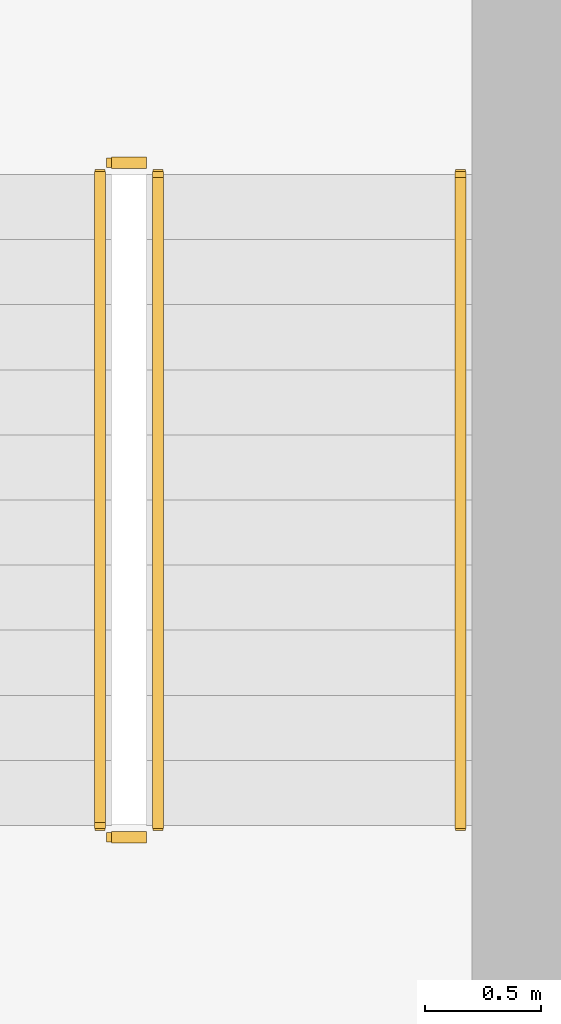
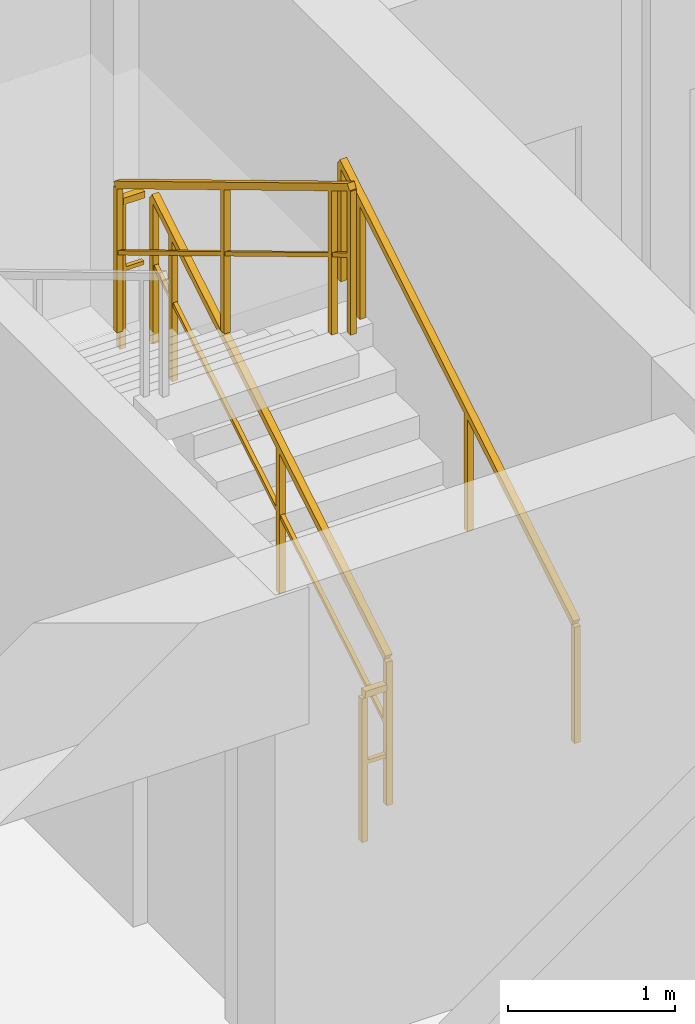
# One storey, part 12 of 14: 5 railings.
"""IFC4 building model written with IfcOpenShell, lengths in metres."""

from ifc_helpers import new_model, si_unit, direction, frame, origin, origin_2d, place, context, subcontext, project, spatial, rectangle, extrude, material, type_object, element, save


model = new_model("IFC4")

# Units and contexts
model_context = context("Model", 3, precision=1e-05, world=origin(), true_north=direction((0.0, 1.0)))
body_context = subcontext(model_context, "Body", "Model", "MODEL_VIEW")
ifc_project = project(units=[si_unit("LENGTHUNIT", "METRE"), si_unit("AREAUNIT", "SQUARE_METRE"), si_unit("VOLUMEUNIT", "CUBIC_METRE"), si_unit("PLANEANGLEUNIT", "RADIAN"), si_unit("MASSUNIT", "GRAM", prefix="KILO")], contexts=[model_context])

# Site, building, storey
site_placement = place(None, origin())
site = spatial("IfcSite", under=ifc_project, at=site_placement, CompositionType="ELEMENT")
building_placement = place(site_placement, origin())
building = spatial("IfcBuilding", under=site, at=building_placement, Name="Kaliganga Portal Commons", CompositionType="ELEMENT")
storey_placement = place(building_placement, frame((0.0, 0.0, 151.300048828125)))
storey = spatial("IfcBuildingStorey", under=building, at=storey_placement, Name="L38", CompositionType="ELEMENT", Elevation=151.300048828125)

# Railings
ifc_material_1 = material(Name="Galvanized Painted Steel Balustrade", Category="steel")
railing_type_1 = type_object("IfcRailingType", Name="RLG-STAIR-GRD", PredefinedType="GUARDRAIL", material=ifc_material_1)
railing_1_placement = place(storey_placement, frame((48.699951171875, 8.699951171875, 0.168212890625)))
element("IfcRailing", 1, at=railing_1_placement, inside=storey, type_object=railing_type_1, Name="L38 ST-B2 stair guard 1", PredefinedType="GUARDRAIL", context=body_context, shape_type="SweptSolid", body=[
    extrude(rectangle(XDim=0.048095703125, YDim=0.048095703125, at=origin_2d()), frame((0.0, 0.0, 1.072021484375), z_axis=(0.0, 0.857275202839, 0.514858452973), x_axis=(-1.0, 0.0, 0.0)), (0.0, 0.0, 1.0), 3.26611328125),
    extrude(rectangle(XDim=0.028076171875, YDim=0.028076171875, at=origin_2d()), frame((0.0, 0.0, 0.572021484375), z_axis=(0.0, 0.857275202839, 0.514858452973), x_axis=(-1.0, 0.0, 0.0)), (0.0, 0.0, 1.0), 3.26611328125),
    extrude(rectangle(XDim=0.0419921875, YDim=0.0419921875, at=origin_2d()), origin(), (0.0, 0.0, 1.0), 1.052001953125),
    extrude(rectangle(XDim=0.0419921875, YDim=0.0419921875, at=origin_2d()), frame((0.0, 1.285888671875, 0.772216796875)), (0.0, 0.0, 1.0), 1.052001953125),
    extrude(rectangle(XDim=0.0419921875, YDim=0.0419921875, at=origin_2d()), frame((0.0, 2.57177734375, 1.544677734375)), (0.0, 0.0, 1.0), 1.052001953125),
    extrude(rectangle(XDim=0.0419921875, YDim=0.0419921875, at=origin_2d()), frame((0.0, 2.800048828125, 1.681640625)), (0.0, 0.0, 1.0), 1.052001953125),
])
railing_2_placement = place(storey_placement, frame((48.64990234375, 11.550048828125, 1.849853515625)))
element("IfcRailing", 2, at=railing_2_placement, inside=storey, type_object=railing_type_1, Name="L38 ST-B2 stair guard 2", PredefinedType="GUARDRAIL", context=body_context, shape_type="SweptSolid", body=[
    extrude(rectangle(XDim=0.048095703125, YDim=0.048095703125, at=origin_2d()), frame((0.0, 0.0, 1.076171875), z_axis=(-1.0, 0.0, 0.0), x_axis=(0.0, -1.0, 0.0)), (0.0, 0.0, 1.0), 0.14990234375),
    extrude(rectangle(XDim=0.028076171875, YDim=0.028076171875, at=origin_2d()), frame((0.0, 0.0, 0.572021484375), z_axis=(-1.0, 0.0, 0.0), x_axis=(0.0, -1.0, 0.0)), (0.0, 0.0, 1.0), 0.14990234375),
    extrude(rectangle(XDim=0.0419921875, YDim=0.0419921875, at=origin_2d()), frame((-0.14990234375, 0.0, 0.0)), (0.0, 0.0, 1.0), 1.052001953125),
])
railing_3_placement = place(storey_placement, frame((48.449951171875, 11.5, 2.01806640625)))
element("IfcRailing", 3, at=railing_3_placement, inside=storey, type_object=railing_type_1, Name="L38 ST-B2 stair guard 3", PredefinedType="GUARDRAIL", context=body_context, shape_type="SweptSolid", body=[
    extrude(rectangle(XDim=0.048095703125, YDim=0.048095703125, at=origin_2d()), frame((0.0, 0.0, 1.072021484375), z_axis=(0.0, -0.857242210791, 0.514913383045), x_axis=(1.0, 0.0, 0.0)), (0.0, 0.0, 1.0), 3.266357421875),
    extrude(rectangle(XDim=0.028076171875, YDim=0.028076171875, at=origin_2d()), frame((0.0, 0.0, 0.572021484375), z_axis=(0.0, -0.857242210791, 0.514913383045), x_axis=(1.0, 0.0, 0.0)), (0.0, 0.0, 1.0), 3.266357421875),
    extrude(rectangle(XDim=0.0419921875, YDim=0.0419921875, at=origin_2d()), origin(), (0.0, 0.0, 1.0), 1.052001953125),
    extrude(rectangle(XDim=0.0419921875, YDim=0.0419921875, at=origin_2d()), frame((0.0, -1.285888671875, 0.7724609375)), (0.0, 0.0, 1.0), 1.052001953125),
    extrude(rectangle(XDim=0.0419921875, YDim=0.0419921875, at=origin_2d()), frame((0.0, -2.57177734375, 1.544677734375)), (0.0, 0.0, 1.0), 1.052001953125),
    extrude(rectangle(XDim=0.0419921875, YDim=0.0419921875, at=origin_2d()), frame((0.0, -2.800048828125, 1.681884765625)), (0.0, 0.0, 1.0), 1.052001953125),
])
railing_4_placement = place(storey_placement, frame((48.64990234375, 8.64990234375, 0.0)))
element("IfcRailing", 4, at=railing_4_placement, inside=storey, type_object=railing_type_1, Name="L38 ST-B2 stair guard 4", PredefinedType="GUARDRAIL", context=body_context, shape_type="SweptSolid", body=[
    extrude(rectangle(XDim=0.048095703125, YDim=0.048095703125, at=origin_2d()), frame((0.0, 0.0, 1.076171875), z_axis=(-1.0, 0.0, 0.0), x_axis=(0.0, -1.0, 0.0)), (0.0, 0.0, 1.0), 0.14990234375),
    extrude(rectangle(XDim=0.028076171875, YDim=0.028076171875, at=origin_2d()), frame((0.0, 0.0, 0.572021484375), z_axis=(-1.0, 0.0, 0.0), x_axis=(0.0, -1.0, 0.0)), (0.0, 0.0, 1.0), 0.14990234375),
    extrude(rectangle(XDim=0.0419921875, YDim=0.0419921875, at=origin_2d()), frame((-0.14990234375, 0.0, 0.0)), (0.0, 0.0, 1.0), 1.052001953125),
])
ifc_material_2 = material(Name="Brushed Stainless Steel 316", Category="steel")
railing_type_2 = type_object("IfcRailingType", Name="RLG-STAIR-HR", PredefinedType="HANDRAIL", material=ifc_material_2)
railing_5_placement = place(storey_placement, frame((50.0, 8.699951171875, 0.168212890625)))
element("IfcRailing", 5, at=railing_5_placement, inside=storey, type_object=railing_type_2, Name="L38 ST-B2 stair handrail 1", PredefinedType="HANDRAIL", context=body_context, shape_type="SweptSolid", body=[
    extrude(rectangle(XDim=0.048095703125, YDim=0.048095703125, at=origin_2d()), frame((0.0, 0.0, 0.871826171875), z_axis=(0.0, 0.857275202839, 0.514858452973), x_axis=(-1.0, 0.0, 0.0)), (0.0, 0.0, 1.0), 3.26611328125),
    extrude(rectangle(XDim=0.0419921875, YDim=0.0419921875, at=origin_2d()), origin(), (0.0, 0.0, 1.0), 0.851806640625),
    extrude(rectangle(XDim=0.0419921875, YDim=0.0419921875, at=origin_2d()), frame((0.0, 1.285888671875, 0.772216796875)), (0.0, 0.0, 1.0), 0.851806640625),
    extrude(rectangle(XDim=0.0419921875, YDim=0.0419921875, at=origin_2d()), frame((0.0, 2.57177734375, 1.544677734375)), (0.0, 0.0, 1.0), 0.851806640625),
    extrude(rectangle(XDim=0.0419921875, YDim=0.0419921875, at=origin_2d()), frame((0.0, 2.800048828125, 1.681640625)), (0.0, 0.0, 1.0), 0.851806640625),
])

save(model, "model.ifc")
